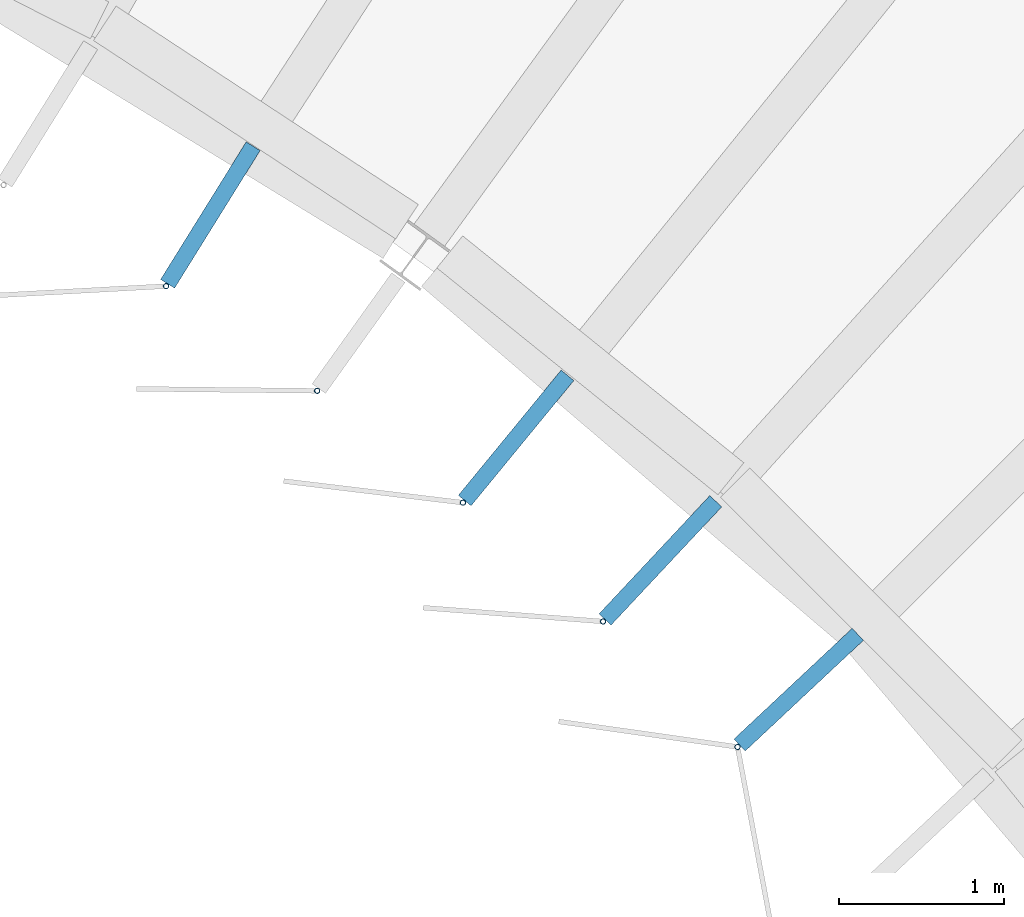
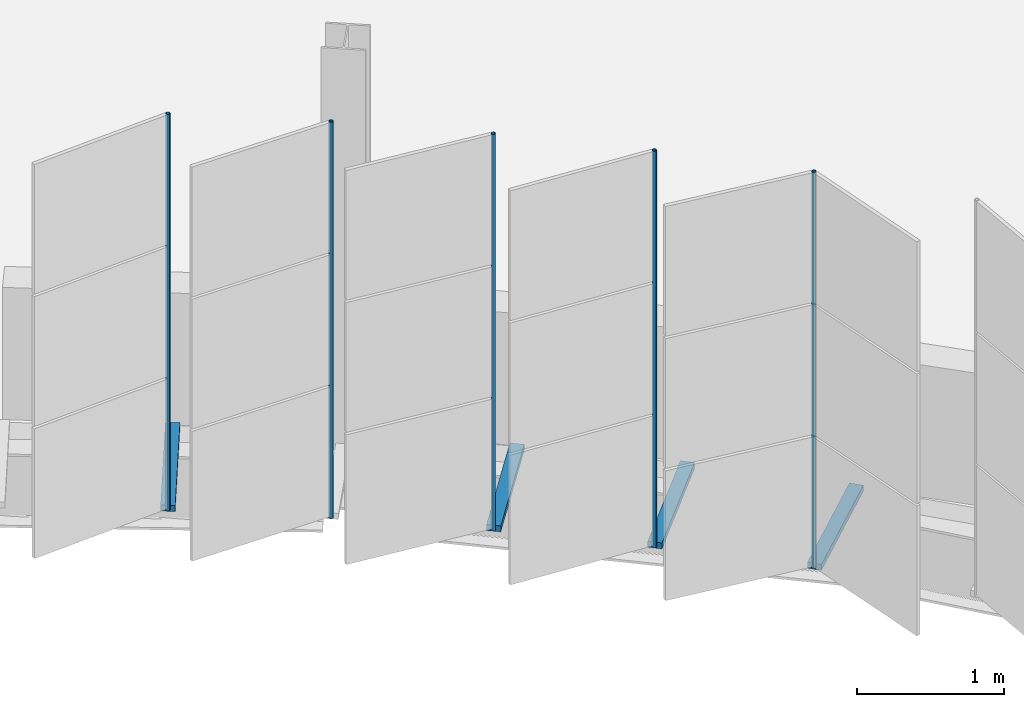
# One storey, part 117 of 199: 9 discrete accessories.
"""IFC4 building model written with IfcOpenShell, lengths in metres."""

from ifc_helpers import new_model, si_unit, direction, frame, origin, origin_2d, place, context, subcontext, project, spatial, rectangle, hollow_circle, extrude, material, material_profile, profile_set, type_object, element, save


model = new_model("IFC4")

# Units and contexts
model_context = context("Model", 3, precision=1e-05, world=origin(), true_north=direction((0.0, 1.0)))
body_context = subcontext(model_context, "Body", "Model", "MODEL_VIEW")
ifc_project = project(units=[si_unit("LENGTHUNIT", "METRE"), si_unit("AREAUNIT", "SQUARE_METRE"), si_unit("VOLUMEUNIT", "CUBIC_METRE"), si_unit("PLANEANGLEUNIT", "RADIAN"), si_unit("MASSUNIT", "GRAM", prefix="KILO")], contexts=[model_context])

# Site, building, storey
site_placement = place(None, origin())
site = spatial("IfcSite", under=ifc_project, at=site_placement, CompositionType="ELEMENT")
building_placement = place(site_placement, origin())
building = spatial("IfcBuilding", under=site, at=building_placement, Name="Parallax Yard Mobility Hub", CompositionType="ELEMENT")
storey_placement = place(building_placement, frame((0.0, 0.0, 9.89990234375)))
storey = spatial("IfcBuildingStorey", under=building, at=storey_placement, Name="L03", CompositionType="ELEMENT", Elevation=9.89990234375)

# Discrete accessories
ifc_material_1 = material(Name="Steel ASTM A36, hot-dip galvanised", Category="steel")
discrete_accessory_type_1 = type_object("IfcDiscreteAccessoryType", Name="Hinge bracket plate 100x50", PredefinedType="BRACKET", material=ifc_material_1)
for number, where, z_axis, x_axis, name in (
    (1, (184.48583984375, 108.44921875, -0.02490234375), (0.0, 0.0, 1.0), (-0.52806785065, -0.849202181527, 0.0), "Hinge bracket plate bay 19.6 level L03"),
    (2, (186.34228515625, 107.095458984375, -0.02490234375), (0.0, 0.0, 1.0), (-0.634393284164, -0.773010453363, 0.0), "Hinge bracket plate bay 20.2 level L03"),
    (3, (187.218505859375, 106.35205078125, -0.02490234375), (0.0, 0.0, 1.0), (-0.683592302023, -0.729864072698, 0.0), "Hinge bracket plate bay 20.3 level L03"),
    (4, (188.05810546875, 105.566650390625, -0.02490234375), (0.0, 0.0, 1.0), (-0.729864072698, -0.683592302023, 0.0), "Hinge bracket plate bay 20.4 level L03"),
):
    element("IfcDiscreteAccessory", number, at=place(storey_placement, frame(where, z_axis=z_axis, x_axis=x_axis)), inside=storey, type_object=discrete_accessory_type_1, Name=name, PredefinedType="BRACKET", context=body_context, shape_type="SweptSolid", body=[
        extrude(rectangle(XDim=0.984130859375, YDim=0.10009765625, at=origin_2d()), origin(), (0.0, 0.0, 1.0), 0.050048828125),
    ])
ifc_material_2 = material(Name="Steel ASTM A500 Gr C, hot-dip galvanised", Category="steel")
ifc_material_profile = material_profile(ifc_material_2, hollow_circle(Radius=0.016845703125, WallThickness=0.003173828125, at=origin_2d()), Name="CHS 33.7x3.2")
ifc_profile_set = profile_set([ifc_material_profile], Name="Steel ASTM A500 Gr C, hot-dip galvanised")
discrete_accessory_type_2 = type_object("IfcDiscreteAccessoryType", Name="Hinge post CHS 33.7x3.2", PredefinedType="BRACKET", material=ifc_profile_set)
for number, where, z_axis, x_axis, name in (
    (5, (184.21728515625, 108.017333984375, 0.0), (0.0, 0.0, 1.0), (1.0, 0.0, 0.0), "Hinge post bay 19.6 level L03"),
    (6, (185.134521484375, 107.381591796875, 0.0), (0.0, 0.0, 1.0), (1.0, 0.0, 0.0), "Hinge post bay 20.1 level L03"),
    (7, (186.019775390625, 106.702392578125, 0.0), (0.0, 0.0, 1.0), (1.0, 0.0, 0.0), "Hinge post bay 20.2 level L03"),
    (8, (186.87109375, 105.98095703125, 0.0), (0.0, 0.0, 1.0), (1.0, 0.0, 0.0), "Hinge post bay 20.3 level L03"),
    (9, (187.68701171875, 105.218994140625, 0.0), (0.0, 0.0, 1.0), (1.0, 0.0, 0.0), "Hinge post bay 20.4 level L03"),
):
    element("IfcDiscreteAccessory", number, at=place(storey_placement, frame(where, z_axis=z_axis, x_axis=x_axis)), inside=storey, type_object=discrete_accessory_type_2, Name=name, PredefinedType="BRACKET", context=body_context, shape_type="SweptSolid", body=[
        extrude(hollow_circle(Radius=0.016845703125, WallThickness=0.003173828125, at=origin_2d()), origin(), (0.0, 0.0, 1.0), 3.300048828125),
    ])

save(model, "model.ifc")
